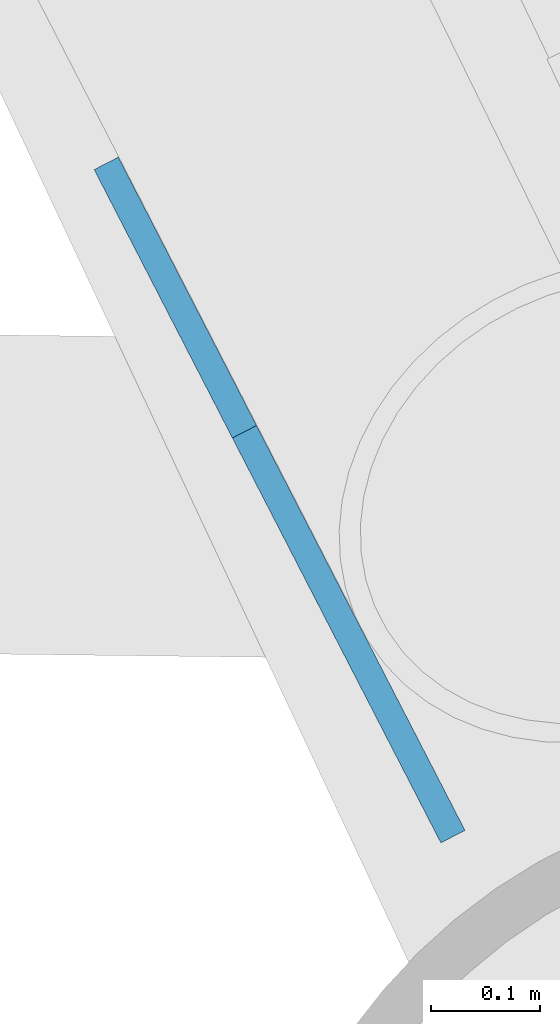
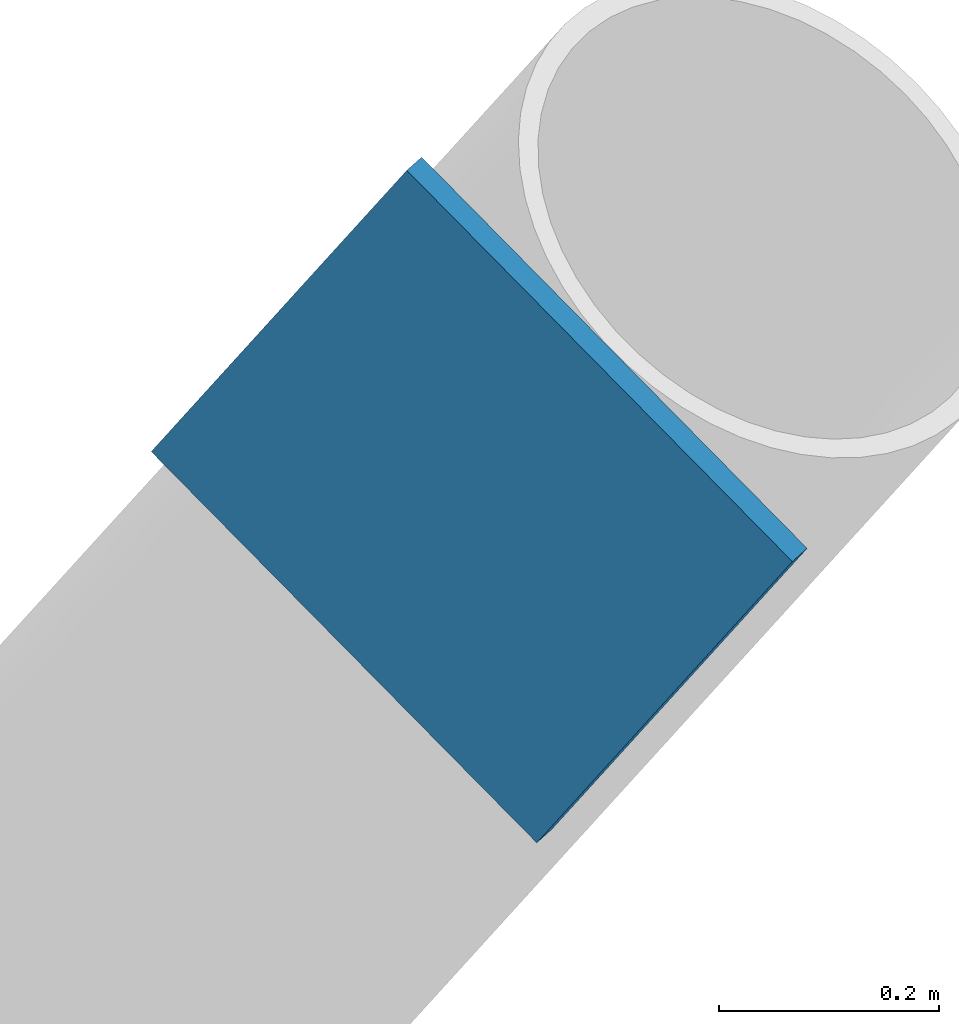
# One storey, part 12 of 21: 1 discrete accessory.
"""IFC4 building model written with IfcOpenShell, lengths in metres."""

from ifc_helpers import new_model, si_unit, direction, frame, origin, origin_2d, place, context, subcontext, project, spatial, rectangle, extrude, material, material_profile, profile_set, type_object, element, save


model = new_model("IFC4")

# Units and contexts
model_context = context("Model", 3, precision=1e-05, world=origin(), true_north=direction((0.0, 1.0)))
body_context = subcontext(model_context, "Body", "Model", "MODEL_VIEW")
ifc_project = project(units=[si_unit("LENGTHUNIT", "METRE"), si_unit("AREAUNIT", "SQUARE_METRE"), si_unit("VOLUMEUNIT", "CUBIC_METRE"), si_unit("PLANEANGLEUNIT", "RADIAN"), si_unit("MASSUNIT", "GRAM", prefix="KILO")], contexts=[model_context])

# Site, building, storey
site_placement = place(None, origin())
site = spatial("IfcSite", under=ifc_project, at=site_placement, CompositionType="ELEMENT")
building_placement = place(site_placement, origin())
building = spatial("IfcBuilding", under=site, at=building_placement, Name="Tarsis Ring Headquarters", CompositionType="ELEMENT")
storey_placement = place(building_placement, frame((0.0, 0.0, 223.800048828125)))
storey = spatial("IfcBuildingStorey", under=building, at=storey_placement, Name="L52", CompositionType="ELEMENT", Elevation=223.800048828125)

# Discrete accessory
ifc_material = material(Name="Structural steel S355", Category="steel")
ifc_material_profile = material_profile(ifc_material, rectangle(XDim=0.02490234375, YDim=0.5, at=origin_2d()), Name="PL 25x500")
ifc_profile_set = profile_set([ifc_material_profile], Name="Structural steel S355")
discrete_accessory_type = type_object("IfcDiscreteAccessoryType", Name="Gusset plate Exo brace 25", PredefinedType="BRACKET", material=ifc_profile_set)
discrete_accessory_placement = place(storey_placement, frame((27.835205078125, 7.34619140625, 7.800048828125), z_axis=(-0.252932551948, 0.491216500501, -0.833505533156), x_axis=(-0.889061761821, -0.457787269009, 0.0)))
element("IfcDiscreteAccessory", 1, at=discrete_accessory_placement, inside=storey, type_object=discrete_accessory_type, Name="Gusset plate GP5", PredefinedType="BRACKET", context=body_context, shape_type="SweptSolid", body=[
    extrude(rectangle(XDim=0.02490234375, YDim=0.5, at=origin_2d()), origin(), (0.0, 0.0, 1.0), 0.5),
])

save(model, "model.ifc")
